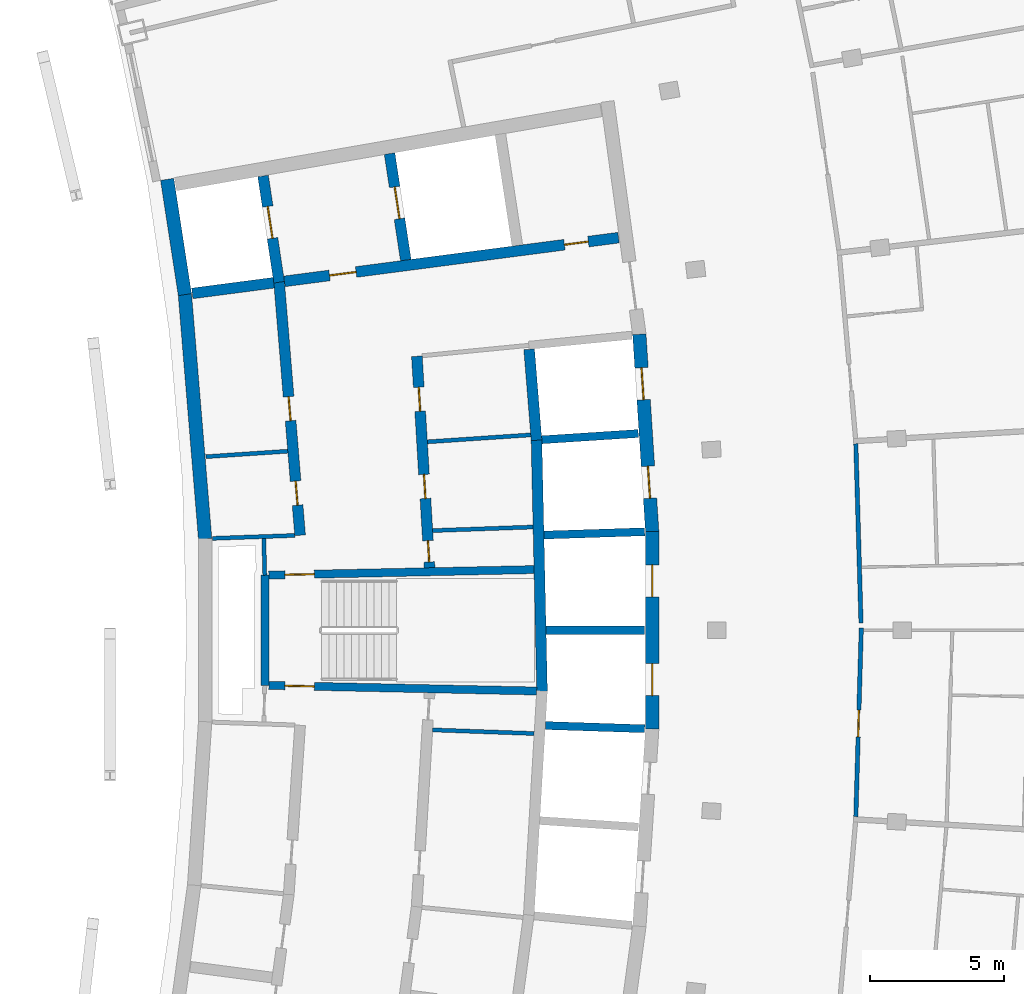
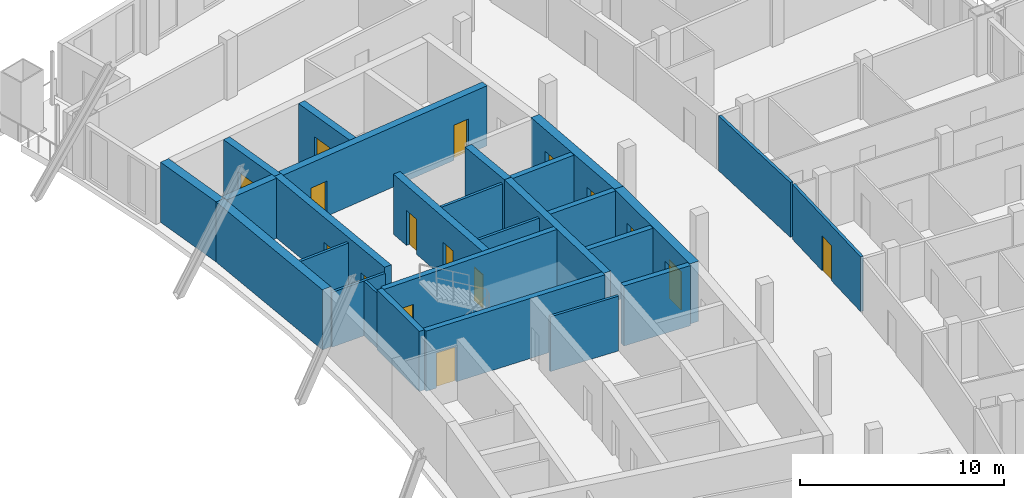
# One storey, part 10 of 17: 27 walls, 16 doors, 16 openings.
"""IFC4 building model written with IfcOpenShell, lengths in metres."""

import ifcopenshell
import ifcopenshell.guid

model = None  # the IFC model being written
_history = None  # IfcOwnerHistory: only IFC2X3 demands one
_inside = {}  # id of a spatial element -> (the spatial element, [elements in it])
_under = {}  # id of a project, library or spatial element -> (it, [spatial elements below it])
_declared = {}  # id of a project -> (the project, [libraries it declares])
_typed = {}  # id of a type object -> (the type object, [elements of that type])
_made_of = {}  # id of a material, layer set ... -> (it, [elements and type objects made of it])


def new_model(schema):
    """Start an empty IFC model of exactly this schema.

    Asked for "IFC4X3", IfcOpenShell would pick the latest addendum, in which some entities
    have other attributes; the version numbers below select the first issue.
    IFC2X3 requires an IfcOwnerHistory on every rooted entity: one is made here for all.
    """
    global model, _history
    if schema == "IFC4X3":
        model = ifcopenshell.file(schema_version=(4, 3, 0, 0))
    else:
        model = ifcopenshell.file(schema=schema)
    _inside.clear()
    _under.clear()
    _declared.clear()
    _typed.clear()
    _made_of.clear()
    _history = None
    if model.schema == "IFC2X3":
        org = make("IfcOrganization", Name="unknown")
        user = make(
            "IfcPersonAndOrganization",
            ThePerson=make("IfcPerson", FamilyName="unknown"),
            TheOrganization=org,
        )
        app = make(
            "IfcApplication",
            ApplicationDeveloper=org,
            Version="unknown",
            ApplicationFullName="unknown",
            ApplicationIdentifier="unknown",
        )
        _history = make(
            "IfcOwnerHistory",
            OwningUser=user,
            OwningApplication=app,
            ChangeAction="ADDED",
            CreationDate=0,
        )
    return model


def make(cls, **values):
    """One entity of the class cls with the attributes given. An attribute that is None is left unset."""
    return model.create_entity(
        cls, **{name: value for name, value in values.items() if value is not None}
    )


def rooted(cls, **values):
    """An entity with a GlobalId (a new one), such as an element, a storey or a relation."""
    return make(cls, GlobalId=ifcopenshell.guid.new(), OwnerHistory=_history, **values)


def si_unit(unit_type, name, prefix=None):
    """IfcSIUnit, for example si_unit("LENGTHUNIT", "METRE", prefix="MILLI")."""
    return make("IfcSIUnit", UnitType=unit_type, Prefix=prefix, Name=name)


def assignment(units):
    """IfcUnitAssignment: the units of a project."""
    return None if units is None else make("IfcUnitAssignment", Units=units)


def point(xyz):
    """IfcCartesianPoint."""
    return None if xyz is None else make("IfcCartesianPoint", Coordinates=xyz)


def direction(xyz):
    """IfcDirection."""
    return None if xyz is None else make("IfcDirection", DirectionRatios=xyz)


def frame(location, z_axis=None, x_axis=None):
    """IfcAxis2Placement3D, a coordinate frame: its origin and axes. An axis left out is left unset."""
    return make(
        "IfcAxis2Placement3D",
        Location=point(location),
        Axis=direction(z_axis),
        RefDirection=direction(x_axis),
    )


def frame_2d(location, x_axis=None):
    """IfcAxis2Placement2D, a coordinate frame in the plane: its origin and x axis."""
    return make(
        "IfcAxis2Placement2D", Location=point(location), RefDirection=direction(x_axis)
    )


def origin():
    """The frame at (0, 0, 0) with its axes left unset."""
    return frame((0.0, 0.0, 0.0))


def place(relative_to, where):
    """IfcLocalPlacement: puts the frame where relative to a parent placement (None: the world)."""
    return make(
        "IfcLocalPlacement", PlacementRelTo=relative_to, RelativePlacement=where
    )


def context(
    kind, dimensions, precision=None, world=None, true_north=None, identifier=None
):
    """IfcGeometricRepresentationContext, for example the 3D "Model" context."""
    return make(
        "IfcGeometricRepresentationContext",
        ContextIdentifier=identifier,
        ContextType=kind,
        CoordinateSpaceDimension=dimensions,
        Precision=precision,
        WorldCoordinateSystem=world,
        TrueNorth=true_north,
    )


def subcontext(parent, identifier, kind, view, scale=None):
    """IfcGeometricRepresentationSubContext, for example "Body" below "Model"."""
    return make(
        "IfcGeometricRepresentationSubContext",
        ContextIdentifier=identifier,
        ContextType=kind,
        ParentContext=parent,
        TargetScale=scale,
        TargetView=view,
    )


def project(units=None, contexts=None):
    """IfcProject with its units and contexts."""
    return rooted(
        "IfcProject",
        Name="project",
        RepresentationContexts=contexts,
        UnitsInContext=assignment(units),
    )


def spatial(cls, under=None, at=None, **own):
    """A site, building, storey or space (cls), placed at a placement, below another one or the project."""
    s = rooted(cls, ObjectPlacement=at, **own)
    if under is not None:
        _under.setdefault(under.id(), (under, []))[1].append(s)
    return s


def profile(cls, at=None, kind="AREA", **sizes):
    """A parametric profile (cls). Its sizes go by their IFC names, for example OverallWidth=200.0."""
    return make(cls, ProfileType=kind, Position=at, **sizes)


def rectangle(**sizes):
    """IfcRectangleProfileDef."""
    return profile("IfcRectangleProfileDef", **sizes)


def extrude(swept, where, along, depth):
    """IfcExtrudedAreaSolid: the profile swept, set in the frame where, extruded along a direction by depth."""
    return make(
        "IfcExtrudedAreaSolid",
        SweptArea=swept,
        Position=where,
        ExtrudedDirection=direction(along),
        Depth=depth,
    )


def shape(context_of_items, identifier, shape_type, items):
    """IfcShapeRepresentation: the items that make up one representation, for example the "Body"."""
    return make(
        "IfcShapeRepresentation",
        ContextOfItems=context_of_items,
        RepresentationIdentifier=identifier,
        RepresentationType=shape_type,
        Items=items,
    )


def material(Name=None, Category=None):
    """IfcMaterial."""
    return make("IfcMaterial", Name=Name, Category=Category)


def layer(
    of_material, thickness, ventilated=None, Name=None, Category=None, Priority=None
):
    """IfcMaterialLayer: one layer of a wall or slab, of a material (None: an air gap)."""
    return make(
        "IfcMaterialLayer",
        Material=of_material,
        LayerThickness=thickness,
        IsVentilated=ventilated,
        Name=Name,
        Category=Category,
        Priority=Priority,
    )


def layer_set(layers, Name=None):
    """IfcMaterialLayerSet."""
    return make("IfcMaterialLayerSet", MaterialLayers=layers, LayerSetName=Name)


def made_of(thing, what):
    """Note that an element or type object is made of a material, layer set ...; save() writes the relation."""
    if what is not None:
        _made_of.setdefault(what.id(), (what, []))[1].append(thing)
    return thing


def type_object(cls, material=None, **own):
    """A type object (cls), such as IfcWallType, which elements share."""
    return made_of(rooted(cls, **own), material)


def element(
    cls,
    number,
    at=None,
    inside=None,
    cuts=None,
    type_object=None,
    material=None,
    context=None,
    identifier="Body",
    shape_type=None,
    held_by="IfcProductDefinitionShape",
    body=None,
    shapes=None,
    **own,
):
    """One element of the class cls, such as IfcWall. Its Tag is "e" and its number.

    at: its placement. inside: the storey or other place that contains it. cuts: it is an
    opening in that element (IfcRelVoidsElement). A single representation is given by context,
    identifier, shape_type and body (its items); several are given by shapes. held_by: the class
    of the entity that holds the representations. save() writes the other relations.
    """
    e = rooted(cls, Tag="e%d" % number, ObjectPlacement=at, **own)
    if body is not None:
        shapes = [shape(context, identifier, shape_type, body)]
    if shapes is not None:
        e.Representation = make(held_by, Representations=shapes)
    if inside is not None:
        _inside.setdefault(inside.id(), (inside, []))[1].append(e)
    if cuts is not None:
        rooted(
            "IfcRelVoidsElement", RelatingBuildingElement=cuts, RelatedOpeningElement=e
        )
    if type_object is not None:
        _typed.setdefault(type_object.id(), (type_object, []))[1].append(e)
    return made_of(e, material)


def fill(opening, filler):
    """IfcRelFillsElement: the door or window that sits in an opening."""
    return rooted(
        "IfcRelFillsElement",
        RelatingOpeningElement=opening,
        RelatedBuildingElement=filler,
    )


def aggregate(whole, parts):
    """IfcRelAggregates: a whole, such as a stair, and the parts it consists of."""
    return rooted("IfcRelAggregates", RelatingObject=whole, RelatedObjects=parts)


def save(model, path):
    """Write the relations noted so far, then the file.

    IfcRelAggregates (storeys below a building ...), IfcRelContainedInSpatialStructure (elements
    in a storey), IfcRelDefinesByType, IfcRelAssociatesMaterial and IfcRelDeclares: one each for
    every whole, place, type object, material and project.
    """
    for whole, parts in _under.values():
        aggregate(whole, parts)
    for where, things in _inside.values():
        rooted(
            "IfcRelContainedInSpatialStructure",
            RelatedElements=things,
            RelatingStructure=where,
        )
    for kind, things in _typed.values():
        rooted("IfcRelDefinesByType", RelatedObjects=things, RelatingType=kind)
    for what, things in _made_of.values():
        rooted("IfcRelAssociatesMaterial", RelatedObjects=things, RelatingMaterial=what)
    for by, libraries in _declared.values():
        rooted("IfcRelDeclares", RelatingContext=by, RelatedDefinitions=libraries)
    model.write(path)


model = new_model("IFC4")

# Units and contexts
model_context = context("Model", 3, precision=1e-05, world=origin(), true_north=direction((0.0, 1.0)))
body_context = subcontext(model_context, "Body", "Model", "MODEL_VIEW")
ifc_project = project(units=[si_unit("LENGTHUNIT", "METRE"), si_unit("AREAUNIT", "SQUARE_METRE"), si_unit("VOLUMEUNIT", "CUBIC_METRE"), si_unit("PLANEANGLEUNIT", "RADIAN"), si_unit("MASSUNIT", "GRAM", prefix="KILO")], contexts=[model_context])

# Site, building, storey
site_placement = place(None, origin())
site = spatial("IfcSite", under=ifc_project, at=site_placement, CompositionType="ELEMENT")
building_placement = place(site_placement, origin())
building = spatial("IfcBuilding", under=site, at=building_placement, Name="Alderwake Tower", CompositionType="ELEMENT")
storey_placement = place(building_placement, frame((0.0, 0.0, 256.39990234375)))
storey = spatial("IfcBuildingStorey", under=building, at=storey_placement, Name="L63", CompositionType="ELEMENT", Elevation=256.39990234375)

# Walls
ifc_material_1 = material(Name="Gypsum shaft wall system, rated")
ifc_layer_1 = layer(ifc_material_1, 0.14990234375)
ifc_layer_set_1 = layer_set([ifc_layer_1], Name="Core riser partition 150")
wall_type_1 = type_object("IfcWallType", Name="Core riser partition 150", PredefinedType="PARTITIONING", material=ifc_layer_set_1)
wall_1_placement = place(storey_placement, frame((25.1904296875, 57.276611328125, 0.0), z_axis=(0.0, 0.0, 1.0), x_axis=(0.999373547283, -0.03539086028, 0.0)))
element("IfcWall", 1, at=wall_1_placement, inside=storey, type_object=wall_type_1, Name="CW/L63/PR-37_+86", PredefinedType="PARTITIONING", context=body_context, shape_type="SweptSolid", body=[
    extrude(rectangle(XDim=3.794189453125, YDim=0.14990234375, at=frame_2d((1.89697265625, 0.0))), origin(), (0.0, 0.0, 1.0), 3.280029296875),
])
wall_2_placement = place(storey_placement, frame((25.191162109375, 64.723388671875, 0.0), z_axis=(0.0, 0.0, 1.0), x_axis=(0.999373256208, 0.035399078746, 0.0)))
element("IfcWall", 2, at=wall_2_placement, inside=storey, type_object=wall_type_1, Name="CW/L63/PR+37_+86", PredefinedType="PARTITIONING", context=body_context, shape_type="SweptSolid", body=[
    extrude(rectangle(XDim=3.751953125, YDim=0.14990234375, at=frame_2d((1.8759765625, 0.0))), origin(), (0.0, 0.0, 1.0), 3.280029296875),
])
ifc_material_2 = material(Name="Gypsum shaft wall system, rated")
ifc_layer_2 = layer(ifc_material_2, 0.14990234375)
ifc_layer_set_2 = layer_set([ifc_layer_2], Name="Core room partition 150")
wall_type_2 = type_object("IfcWallType", Name="Core room partition 150", PredefinedType="PARTITIONING", material=ifc_layer_set_2)
wall_3_placement = place(storey_placement, frame((18.918701171875, 63.05517578125, 0.0), z_axis=(0.0, 0.0, 1.0), x_axis=(-0.027791791559, 0.99961373356, 0.0)))
element("IfcWall", 3, at=wall_3_placement, inside=storey, type_object=wall_type_2, Name="CW/L63/PA+24_+22", PredefinedType="PARTITIONING", context=body_context, shape_type="SweptSolid", body=[
    extrude(rectangle(XDim=1.370361328125, YDim=0.14990234375, at=frame_2d((0.68505859375, 0.0))), origin(), (0.0, 0.0, 1.0), 3.280029296875),
])
wall_4_placement = place(storey_placement, frame((16.969482421875, 64.4326171875, 0.0), z_axis=(0.0, 0.0, 1.0), x_axis=(0.999376258731, 0.035314210814, 0.0)))
element("IfcWall", 4, at=wall_4_placement, inside=storey, type_object=wall_type_2, Name="CW/L63/PR+37_+0", PredefinedType="PARTITIONING", context=body_context, shape_type="SweptSolid", body=[
    extrude(rectangle(XDim=3.069580078125, YDim=0.14990234375, at=frame_2d((1.53466796875, 0.0))), origin(), (0.0, 0.0, 1.0), 3.280029296875),
])
wall_5_placement = place(storey_placement, frame((16.716552734375, 67.48388671875, 0.0), z_axis=(0.0, 0.0, 1.0), x_axis=(0.997761137574, 0.066878339895, 0.0)))
element("IfcWall", 5, at=wall_5_placement, inside=storey, type_object=wall_type_2, Name="CW/L63/PR+70_+0", PredefinedType="PARTITIONING", context=body_context, shape_type="SweptSolid", body=[
    extrude(rectangle(XDim=3.06640625, YDim=0.14990234375, at=frame_2d((1.533203125, 0.0))), origin(), (0.0, 0.0, 1.0), 3.280029296875),
])
wall_6_placement = place(storey_placement, frame((24.992431640625, 68.038818359375, 0.0), z_axis=(0.0, 0.0, 1.0), x_axis=(0.997760236964, 0.066891774789, 0.0)))
element("IfcWall", 6, at=wall_6_placement, inside=storey, type_object=wall_type_2, Name="CW/L63/PR+70_+86", PredefinedType="PARTITIONING", context=body_context, shape_type="SweptSolid", body=[
    extrude(rectangle(XDim=3.86865234375, YDim=0.14990234375, at=frame_2d((1.934326171875, 0.0))), origin(), (0.0, 0.0, 1.0), 3.280029296875),
])
ifc_material_3 = material(Name="Concrete C70/85", Category="concrete")
ifc_layer_3 = layer(ifc_material_3, 0.5)
ifc_layer_set_3 = layer_set([ifc_layer_3], Name="Core wall outer 500 C70-85")
wall_type_3 = type_object("IfcWallType", Name="Core wall outer 500 C70-85", PredefinedType="SHEAR", material=ifc_layer_set_3)
wall_7_placement = place(storey_placement, frame((16.690185546875, 64.41162109375, 0.0), z_axis=(0.0, 0.0, 1.0), x_axis=(-0.082611702064, 0.996581811334, 0.0)))
element("IfcWall", 7, at=wall_7_placement, inside=storey, type_object=wall_type_3, Name="Core wall CW.026", PredefinedType="SHEAR", context=body_context, shape_type="SweptSolid", body=[
    extrude(rectangle(XDim=9.176025390625, YDim=0.5, at=frame_2d((4.587890625, 0.0))), origin(), (0.0, 0.0, 1.0), 3.60009765625),
])
wall_8_placement = place(storey_placement, frame((15.934326171875, 73.5380859375, 0.0), z_axis=(0.0, 0.0, 1.0), x_axis=(-0.151947718368, 0.988388532351, 0.0)))
element("IfcWall", 8, at=wall_8_placement, inside=storey, type_object=wall_type_3, Name="Core wall CW.025", PredefinedType="SHEAR", context=body_context, shape_type="SweptSolid", body=[
    extrude(rectangle(XDim=4.357421875, YDim=0.5, at=frame_2d((2.1787109375, 0.0))), origin(), (0.0, 0.0, 1.0), 3.60009765625),
])

# Wall, openings, doors
wall_9_placement = place(storey_placement, frame((33.389892578125, 57.30322265625, 0.0), z_axis=(0.0, 0.0, 1.0), x_axis=(0.0, 1.0, 0.0)))
wall_9 = element("IfcWall", 9, at=wall_9_placement, inside=storey, type_object=wall_type_3, Name="Core wall CW.023", PredefinedType="SHEAR", context=body_context, shape_type="SweptSolid", body=[
    extrude(rectangle(XDim=7.3935546875, YDim=0.5, at=frame_2d((3.69677734375, 0.0))), origin(), (0.0, 0.0, 1.0), 3.60009765625),
])
opening_1_placement = place(wall_9_placement, frame((1.25244140625, 0.0, 0.0)))
opening_1 = element("IfcOpeningElement", 10, at=opening_1_placement, cuts=wall_9, Name="Opening LD-HP3", PredefinedType="OPENING", context=body_context, shape_type="SweptSolid", body=[
    extrude(rectangle(XDim=1.199951171875, YDim=2.300048828125, at=frame_2d((0.60009765625, 1.14990234375))), frame((0.0, 0.260009765625, 0.0), z_axis=(0.0, -1.0, 0.0), x_axis=(1.0, 0.0, 0.0)), (0.0, 0.0, 1.0), 0.52001953125),
])
opening_2_placement = place(wall_9_placement, frame((4.94091796875, 0.0, 0.0)))
opening_2 = element("IfcOpeningElement", 11, at=opening_2_placement, cuts=wall_9, Name="Opening LD-HP4", PredefinedType="OPENING", context=body_context, shape_type="SweptSolid", body=[
    extrude(rectangle(XDim=1.199951171875, YDim=2.300048828125, at=frame_2d((0.60009765625, 1.14990234375))), frame((0.0, 0.260009765625, 0.0), z_axis=(0.0, -1.0, 0.0), x_axis=(1.0, 0.0, 0.0)), (0.0, 0.0, 1.0), 0.52001953125),
])
ifc_material_4 = material(Name="Stainless steel sliding leaf", Category="steel")
door_type_1 = type_object("IfcDoorType", Name="Lift landing door 1200", OperationType="SLIDING_TO_LEFT", PredefinedType="DOOR", material=ifc_material_4)
door_1_placement = place(opening_1_placement, origin())
door_1 = element("IfcDoor", 12, at=door_1_placement, inside=storey, type_object=door_type_1, Name="Lift landing door HP3", OperationType="SLIDING_TO_LEFT", OverallHeight=2.300048828125, OverallWidth=1.199951171875, PredefinedType="DOOR", context=body_context, shape_type="SweptSolid", body=[
    extrude(rectangle(XDim=1.199951171875, YDim=2.300048828125, at=frame_2d((0.60009765625, 1.14990234375))), frame((0.0, 0.02490234375, 0.0), z_axis=(0.0, -1.0, 0.0), x_axis=(1.0, 0.0, 0.0)), (0.0, 0.0, 1.0), 0.050048828125),
])
fill(opening_1, door_1)
door_2_placement = place(opening_2_placement, origin())
door_2 = element("IfcDoor", 13, at=door_2_placement, inside=storey, type_object=door_type_1, Name="Lift landing door HP4", OperationType="SLIDING_TO_LEFT", OverallHeight=2.300048828125, OverallWidth=1.199951171875, PredefinedType="DOOR", context=body_context, shape_type="SweptSolid", body=[
    extrude(rectangle(XDim=1.199951171875, YDim=2.300048828125, at=frame_2d((0.60009765625, 1.14990234375))), frame((0.0, 0.02490234375, 0.0), z_axis=(0.0, -1.0, 0.0), x_axis=(1.0, 0.0, 0.0)), (0.0, 0.0, 1.0), 0.050048828125),
])
fill(opening_2, door_2)

wall_10_placement = place(storey_placement, frame((33.390625, 64.679443359375, 0.0), z_axis=(0.0, 0.0, 1.0), x_axis=(-0.064980500916, 0.997886533881, 0.0)))
wall_10 = element("IfcWall", 14, at=wall_10_placement, inside=storey, type_object=wall_type_3, Name="Core wall CW.020", PredefinedType="SHEAR", context=body_context, shape_type="SweptSolid", body=[
    extrude(rectangle(XDim=7.39404296875, YDim=0.5, at=frame_2d((3.697021484375, 0.0))), origin(), (0.0, 0.0, 1.0), 3.60009765625),
])
opening_3_placement = place(wall_10_placement, frame((1.25244140625, 0.0, 0.0)))
opening_3 = element("IfcOpeningElement", 15, at=opening_3_placement, cuts=wall_10, Name="Opening LD-HP5", PredefinedType="OPENING", context=body_context, shape_type="SweptSolid", body=[
    extrude(rectangle(XDim=1.199951171875, YDim=2.300048828125, at=frame_2d((0.60009765625, 1.14990234375))), frame((0.0, 0.260009765625, 0.0), z_axis=(0.0, -1.0, 0.0), x_axis=(1.0, 0.0, 0.0)), (0.0, 0.0, 1.0), 0.52001953125),
])
opening_4_placement = place(wall_10_placement, frame((4.94091796875, 0.0, 0.0)))
opening_4 = element("IfcOpeningElement", 16, at=opening_4_placement, cuts=wall_10, Name="Opening LD-HP6", PredefinedType="OPENING", context=body_context, shape_type="SweptSolid", body=[
    extrude(rectangle(XDim=1.199951171875, YDim=2.300048828125, at=frame_2d((0.60009765625, 1.14990234375))), frame((0.0, 0.260009765625, 0.0), z_axis=(0.0, -1.0, 0.0), x_axis=(1.0, 0.0, 0.0)), (0.0, 0.0, 1.0), 0.52001953125),
])
door_3_placement = place(opening_3_placement, origin())
door_3 = element("IfcDoor", 17, at=door_3_placement, inside=storey, type_object=door_type_1, Name="Lift landing door HP5", OperationType="SLIDING_TO_LEFT", OverallHeight=2.300048828125, OverallWidth=1.199951171875, PredefinedType="DOOR", context=body_context, shape_type="SweptSolid", body=[
    extrude(rectangle(XDim=1.199951171875, YDim=2.300048828125, at=frame_2d((0.60009765625, 1.14990234375))), frame((0.0, 0.02490234375, 0.0), z_axis=(0.0, -1.0, 0.0), x_axis=(1.0, 0.0, 0.0)), (0.0, 0.0, 1.0), 0.050048828125),
])
fill(opening_3, door_3)
door_4_placement = place(opening_4_placement, origin())
door_4 = element("IfcDoor", 18, at=door_4_placement, inside=storey, type_object=door_type_1, Name="Lift landing door HP6", OperationType="SLIDING_TO_LEFT", OverallHeight=2.300048828125, OverallWidth=1.199951171875, PredefinedType="DOOR", context=body_context, shape_type="SweptSolid", body=[
    extrude(rectangle(XDim=1.199951171875, YDim=2.300048828125, at=frame_2d((0.60009765625, 1.14990234375))), frame((0.0, 0.02490234375, 0.0), z_axis=(0.0, -1.0, 0.0), x_axis=(1.0, 0.0, 0.0)), (0.0, 0.0, 1.0), 0.050048828125),
])
fill(opening_4, door_4)

# Walls
ifc_material_5 = material(Name="Concrete C70/85", Category="concrete")
ifc_layer_4 = layer(ifc_material_5, 0.300048828125)
ifc_layer_set_4 = layer_set([ifc_layer_4], Name="Core wall shaft 300 C70-85")
wall_type_4 = type_object("IfcWallType", Name="Core wall shaft 300 C70-85", PredefinedType="SHEAR", material=ifc_layer_set_4)
wall_11_placement = place(storey_placement, frame((29.400634765625, 57.441650390625, 0.0), z_axis=(0.0, 0.0, 1.0), x_axis=(0.999471876479, -0.032495663221, 0.0)))
element("IfcWall", 19, at=wall_11_placement, inside=storey, type_object=wall_type_4, Name="Core wall CW.075", PredefinedType="SHEAR", context=body_context, shape_type="SweptSolid", body=[
    extrude(rectangle(XDim=3.71142578125, YDim=0.300048828125, at=frame_2d((1.855712890625, 0.0))), origin(), (0.0, 0.0, 1.0), 3.60009765625),
])
wall_12_placement = place(storey_placement, frame((29.426025390625, 61.0, 0.0), z_axis=(0.0, 0.0, 1.0), x_axis=(1.0, 0.0, 0.0)))
element("IfcWall", 20, at=wall_12_placement, inside=storey, type_object=wall_type_4, Name="Core wall CW.048", PredefinedType="SHEAR", context=body_context, shape_type="SweptSolid", body=[
    extrude(rectangle(XDim=3.68408203125, YDim=0.300048828125, at=frame_2d((1.842041015625, 0.0))), origin(), (0.0, 0.0, 1.0), 3.60009765625),
])
wall_13_placement = place(storey_placement, frame((29.347412109375, 64.556396484375, 0.0), z_axis=(0.0, 0.0, 1.0), x_axis=(0.99946995342, 0.032554757112, 0.0)))
element("IfcWall", 21, at=wall_13_placement, inside=storey, type_object=wall_type_4, Name="Core wall CW.058", PredefinedType="SHEAR", context=body_context, shape_type="SweptSolid", body=[
    extrude(rectangle(XDim=3.7646484375, YDim=0.300048828125, at=frame_2d((1.88232421875, 0.0))), origin(), (0.0, 0.0, 1.0), 3.60009765625),
])
wall_14_placement = place(storey_placement, frame((29.268798828125, 68.115478515625, 0.0), z_axis=(0.0, 0.0, 1.0), x_axis=(0.997885735437, 0.064992761217, 0.0)))
element("IfcWall", 22, at=wall_14_placement, inside=storey, type_object=wall_type_4, Name="Core wall CW.061", PredefinedType="SHEAR", context=body_context, shape_type="SweptSolid", body=[
    extrude(rectangle(XDim=3.60986328125, YDim=0.300048828125, at=frame_2d((1.804931640625, 0.0))), origin(), (0.0, 0.0, 1.0), 3.60009765625),
])

# Wall, openings, doors
ifc_material_6 = material(Name="Concrete C70/85", Category="concrete")
ifc_layer_5 = layer(ifc_material_6, 0.39990234375)
ifc_layer_set_5 = layer_set([ifc_layer_5], Name="Core wall spine 400 C70-85")
wall_type_5 = type_object("IfcWallType", Name="Core wall spine 400 C70-85", PredefinedType="SHEAR", material=ifc_layer_set_5)
wall_15_placement = place(storey_placement, frame((19.452392578125, 74.014892578125, 0.0), z_axis=(0.0, 0.0, 1.0), x_axis=(0.082628585297, -0.996580411654, 0.0)))
wall_15 = element("IfcWall", 23, at=wall_15_placement, inside=storey, type_object=wall_type_5, Name="Core wall CW.031", PredefinedType="SHEAR", context=body_context, shape_type="SweptSolid", body=[
    extrude(rectangle(XDim=9.499267578125, YDim=0.39990234375, at=frame_2d((4.74951171875, 0.0))), origin(), (0.0, 0.0, 1.0), 3.60009765625),
])
opening_5_placement = place(wall_15_placement, frame((7.468017578125, 0.0, 0.0)))
opening_5 = element("IfcOpeningElement", 24, at=opening_5_placement, cuts=wall_15, Name="Opening C053", PredefinedType="OPENING", context=body_context, shape_type="SweptSolid", body=[
    extrude(rectangle(XDim=0.89990234375, YDim=2.10009765625, at=frame_2d((0.449951171875, 1.050048828125))), frame((0.0, 0.2099609375, 0.0), z_axis=(0.0, -1.0, 0.0), x_axis=(1.0, 0.0, 0.0)), (0.0, 0.0, 1.0), 0.419921875),
])
opening_6_placement = place(wall_15_placement, frame((4.30322265625, 0.0, 0.0)))
opening_6 = element("IfcOpeningElement", 25, at=opening_6_placement, cuts=wall_15, Name="Opening C054", PredefinedType="OPENING", context=body_context, shape_type="SweptSolid", body=[
    extrude(rectangle(XDim=0.89990234375, YDim=2.10009765625, at=frame_2d((0.449951171875, 1.050048828125))), frame((0.0, 0.2099609375, 0.0), z_axis=(0.0, -1.0, 0.0), x_axis=(1.0, 0.0, 0.0)), (0.0, 0.0, 1.0), 0.419921875),
])
ifc_material_7 = material(Name="Painted steel leaf", Category="steel")
door_type_2 = type_object("IfcDoorType", Name="Core room door 900", OperationType="SINGLE_SWING_LEFT", PredefinedType="DOOR", material=ifc_material_7)
door_5_placement = place(opening_5_placement, origin())
door_5 = element("IfcDoor", 26, at=door_5_placement, inside=storey, type_object=door_type_2, Name="Room door", OperationType="SINGLE_SWING_LEFT", OverallHeight=2.10009765625, OverallWidth=0.89990234375, PredefinedType="DOOR", context=body_context, shape_type="SweptSolid", body=[
    extrude(rectangle(XDim=0.89990234375, YDim=2.10009765625, at=frame_2d((0.449951171875, 1.050048828125))), frame((0.0, 0.02490234375, 0.0), z_axis=(0.0, -1.0, 0.0), x_axis=(1.0, 0.0, 0.0)), (0.0, 0.0, 1.0), 0.050048828125),
])
fill(opening_5, door_5)
door_6_placement = place(opening_6_placement, origin())
door_6 = element("IfcDoor", 27, at=door_6_placement, inside=storey, type_object=door_type_2, Name="Room door", OperationType="SINGLE_SWING_RIGHT", OverallHeight=2.10009765625, OverallWidth=0.89990234375, PredefinedType="DOOR", context=body_context, shape_type="SweptSolid", body=[
    extrude(rectangle(XDim=0.89990234375, YDim=2.10009765625, at=frame_2d((0.449951171875, 1.050048828125))), frame((0.0, 0.02490234375, 0.0), z_axis=(0.0, -1.0, 0.0), x_axis=(1.0, 0.0, 0.0)), (0.0, 0.0, 1.0), 0.050048828125),
])
fill(opening_6, door_6)

# Wall, opening, door
wall_16_placement = place(storey_placement, frame((19.4541015625, 74.00048828125, 0.0), z_axis=(0.0, 0.0, 1.0), x_axis=(-0.149461330246, 0.988767571657, 0.0)))
wall_16 = element("IfcWall", 28, at=wall_16_placement, inside=storey, type_object=wall_type_5, Name="Core wall CW.030", PredefinedType="SHEAR", context=body_context, shape_type="SweptSolid", body=[
    extrude(rectangle(XDim=4.01513671875, YDim=0.39990234375, at=frame_2d((2.007568359375, 0.0))), origin(), (0.0, 0.0, 1.0), 3.60009765625),
])
opening_7_placement = place(wall_16_placement, frame((1.6611328125, 0.0, 0.0)))
opening_7 = element("IfcOpeningElement", 29, at=opening_7_placement, cuts=wall_16, Name="Opening LD-FF1", PredefinedType="OPENING", context=body_context, shape_type="SweptSolid", body=[
    extrude(rectangle(XDim=1.199951171875, YDim=2.300048828125, at=frame_2d((0.60009765625, 1.14990234375))), frame((0.0, 0.2099609375, 0.0), z_axis=(0.0, -1.0, 0.0), x_axis=(1.0, 0.0, 0.0)), (0.0, 0.0, 1.0), 0.419921875),
])
door_7_placement = place(opening_7_placement, origin())
door_7 = element("IfcDoor", 30, at=door_7_placement, inside=storey, type_object=door_type_1, Name="Lift landing door FF1", OperationType="SLIDING_TO_LEFT", OverallHeight=2.300048828125, OverallWidth=1.199951171875, PredefinedType="DOOR", context=body_context, shape_type="SweptSolid", body=[
    extrude(rectangle(XDim=1.199951171875, YDim=2.300048828125, at=frame_2d((0.60009765625, 1.14990234375))), frame((0.0, 0.02490234375, 0.0), z_axis=(0.0, -1.0, 0.0), x_axis=(1.0, 0.0, 0.0)), (0.0, 0.0, 1.0), 0.050048828125),
])
fill(opening_7, door_7)

# Wall, openings, doors
wall_17_placement = place(storey_placement, frame((25.073974609375, 63.335693359375, 0.0), z_axis=(0.0, 0.0, 1.0), x_axis=(-0.059848641072, 0.998207463487, 0.0)))
wall_17 = element("IfcWall", 31, at=wall_17_placement, inside=storey, type_object=wall_type_5, Name="Core wall CW.045", PredefinedType="SHEAR", context=body_context, shape_type="SweptSolid", body=[
    extrude(rectangle(XDim=7.913818359375, YDim=0.39990234375, at=frame_2d((3.95703125, 0.0))), origin(), (0.0, 0.0, 1.0), 3.60009765625),
])
opening_8_placement = place(wall_17_placement, frame((0.216064453125, 0.0, 0.0)))
opening_8 = element("IfcOpeningElement", 32, at=opening_8_placement, cuts=wall_17, Name="Opening C005", PredefinedType="OPENING", context=body_context, shape_type="SweptSolid", body=[
    extrude(rectangle(XDim=0.800048828125, YDim=2.0, at=frame_2d((0.39990234375, 1.0))), frame((0.0, 0.2099609375, 0.0), z_axis=(0.0, -1.0, 0.0), x_axis=(1.0, 0.0, 0.0)), (0.0, 0.0, 1.0), 0.419921875),
])
opening_9_placement = place(wall_17_placement, frame((5.856201171875, 0.0, 0.0)))
opening_9 = element("IfcOpeningElement", 33, at=opening_9_placement, cuts=wall_17, Name="Opening C023", PredefinedType="OPENING", context=body_context, shape_type="SweptSolid", body=[
    extrude(rectangle(XDim=0.89990234375, YDim=2.10009765625, at=frame_2d((0.449951171875, 1.050048828125))), frame((0.0, 0.2099609375, 0.0), z_axis=(0.0, -1.0, 0.0), x_axis=(1.0, 0.0, 0.0)), (0.0, 0.0, 1.0), 0.419921875),
])
opening_10_placement = place(wall_17_placement, frame((2.590087890625, 0.0, 0.0)))
opening_10 = element("IfcOpeningElement", 34, at=opening_10_placement, cuts=wall_17, Name="Opening C059", PredefinedType="OPENING", context=body_context, shape_type="SweptSolid", body=[
    extrude(rectangle(XDim=0.89990234375, YDim=2.10009765625, at=frame_2d((0.449951171875, 1.050048828125))), frame((0.0, 0.2099609375, 0.0), z_axis=(0.0, -1.0, 0.0), x_axis=(1.0, 0.0, 0.0)), (0.0, 0.0, 1.0), 0.419921875),
])
door_8_placement = place(opening_9_placement, origin())
door_8 = element("IfcDoor", 35, at=door_8_placement, inside=storey, type_object=door_type_2, Name="Room door", OperationType="SINGLE_SWING_RIGHT", OverallHeight=2.10009765625, OverallWidth=0.89990234375, PredefinedType="DOOR", context=body_context, shape_type="SweptSolid", body=[
    extrude(rectangle(XDim=0.89990234375, YDim=2.10009765625, at=frame_2d((0.449951171875, 1.050048828125))), frame((0.0, 0.02490234375, 0.0), z_axis=(0.0, -1.0, 0.0), x_axis=(1.0, 0.0, 0.0)), (0.0, 0.0, 1.0), 0.050048828125),
])
fill(opening_9, door_8)
door_9_placement = place(opening_10_placement, origin())
door_9 = element("IfcDoor", 36, at=door_9_placement, inside=storey, type_object=door_type_2, Name="Room door", OperationType="SINGLE_SWING_LEFT", OverallHeight=2.10009765625, OverallWidth=0.89990234375, PredefinedType="DOOR", context=body_context, shape_type="SweptSolid", body=[
    extrude(rectangle(XDim=0.89990234375, YDim=2.10009765625, at=frame_2d((0.449951171875, 1.050048828125))), frame((0.0, 0.02490234375, 0.0), z_axis=(0.0, -1.0, 0.0), x_axis=(1.0, 0.0, 0.0)), (0.0, 0.0, 1.0), 0.050048828125),
])
fill(opening_10, door_9)
ifc_material_8 = material(Name="Painted steel leaf, rated", Category="steel")
door_type_3 = type_object("IfcDoorType", Name="Riser access door 800", OperationType="SINGLE_SWING_LEFT", PredefinedType="DOOR", material=ifc_material_8)
door_10_placement = place(opening_8_placement, origin())
door_10 = element("IfcDoor", 37, at=door_10_placement, inside=storey, type_object=door_type_3, Name="Riser access door", OperationType="SINGLE_SWING_LEFT", OverallHeight=2.0, OverallWidth=0.800048828125, PredefinedType="DOOR", context=body_context, shape_type="SweptSolid", body=[
    extrude(rectangle(XDim=0.800048828125, YDim=2.0, at=frame_2d((0.39990234375, 1.0))), frame((0.0, 0.02490234375, 0.0), z_axis=(0.0, -1.0, 0.0), x_axis=(1.0, 0.0, 0.0)), (0.0, 0.0, 1.0), 0.050048828125),
])
fill(opening_8, door_10)

# Wall, opening, door
wall_18_placement = place(storey_placement, frame((24.186279296875, 74.82861328125, 0.0), z_axis=(0.0, 0.0, 1.0), x_axis=(-0.150547717109, 0.988602743711, 0.0)))
wall_18 = element("IfcWall", 38, at=wall_18_placement, inside=storey, type_object=wall_type_5, Name="Core wall CW.044", PredefinedType="SHEAR", context=body_context, shape_type="SweptSolid", body=[
    extrude(rectangle(XDim=4.0234375, YDim=0.39990234375, at=frame_2d((2.01171875, 0.0))), origin(), (0.0, 0.0, 1.0), 3.60009765625),
])
opening_11_placement = place(wall_18_placement, frame((1.561767578125, 0.0, 0.0)))
opening_11 = element("IfcOpeningElement", 39, at=opening_11_placement, cuts=wall_18, Name="Opening LD-FF2", PredefinedType="OPENING", context=body_context, shape_type="SweptSolid", body=[
    extrude(rectangle(XDim=1.199951171875, YDim=2.300048828125, at=frame_2d((0.60009765625, 1.14990234375))), frame((0.0, 0.2099609375, 0.0), z_axis=(0.0, -1.0, 0.0), x_axis=(1.0, 0.0, 0.0)), (0.0, 0.0, 1.0), 0.419921875),
])
door_11_placement = place(opening_11_placement, origin())
door_11 = element("IfcDoor", 40, at=door_11_placement, inside=storey, type_object=door_type_1, Name="Lift landing door FF2", OperationType="SLIDING_TO_LEFT", OverallHeight=2.300048828125, OverallWidth=1.199951171875, PredefinedType="DOOR", context=body_context, shape_type="SweptSolid", body=[
    extrude(rectangle(XDim=1.199951171875, YDim=2.300048828125, at=frame_2d((0.60009765625, 1.14990234375))), frame((0.0, 0.02490234375, 0.0), z_axis=(0.0, -1.0, 0.0), x_axis=(1.0, 0.0, 0.0)), (0.0, 0.0, 1.0), 0.050048828125),
])
fill(opening_11, door_11)

# Walls
wall_19_placement = place(storey_placement, frame((29.276611328125, 58.71826171875, 0.0), z_axis=(0.0, 0.0, 1.0), x_axis=(-0.022119171053, 0.999755341207, 0.0)))
element("IfcWall", 41, at=wall_19_placement, inside=storey, type_object=wall_type_5, Name="Core wall CW.007", PredefinedType="SHEAR", context=body_context, shape_type="SweptSolid", body=[
    extrude(rectangle(XDim=9.392822265625, YDim=0.39990234375, at=frame_2d((4.6962890625, 0.0))), origin(), (0.0, 0.0, 1.0), 3.60009765625),
])
wall_20_placement = place(storey_placement, frame((29.069580078125, 68.09619140625, 0.0), z_axis=(0.0, 0.0, 1.0), x_axis=(-0.080544811251, 0.996750988653, 0.0)))
element("IfcWall", 42, at=wall_20_placement, inside=storey, type_object=wall_type_5, Name="Core wall CW.003", PredefinedType="SHEAR", context=body_context, shape_type="SweptSolid", body=[
    extrude(rectangle(XDim=3.409912109375, YDim=0.39990234375, at=frame_2d((1.705078125, 0.0))), origin(), (0.0, 0.0, 1.0), 3.60009765625),
])
wall_21_placement = place(storey_placement, frame((16.210693359375, 73.583740234375, 0.0), z_axis=(0.0, 0.0, 1.0), x_axis=(0.991560893257, 0.129641794819, 0.0)))
element("IfcWall", 43, at=wall_21_placement, inside=storey, type_object=wall_type_5, Name="Core wall CW.051", PredefinedType="SHEAR", context=body_context, shape_type="SweptSolid", body=[
    extrude(rectangle(XDim=3.069580078125, YDim=0.39990234375, at=frame_2d((1.53466796875, 0.0))), origin(), (0.0, 0.0, 1.0), 3.60009765625),
])

# Wall, openings, doors
wall_22_placement = place(storey_placement, frame((32.132080078125, 75.666015625, 0.0), z_axis=(0.0, 0.0, 1.0), x_axis=(-0.991555139901, -0.129685791576, 0.0)))
wall_22 = element("IfcWall", 44, at=wall_22_placement, inside=storey, type_object=wall_type_5, Name="Core wall CW.052", PredefinedType="SHEAR", context=body_context, shape_type="SweptSolid", body=[
    extrude(rectangle(XDim=12.586669921875, YDim=0.39990234375, at=frame_2d((6.29345703125, 0.0))), origin(), (0.0, 0.0, 1.0), 3.60009765625),
])
opening_12_placement = place(wall_22_placement, frame((9.88720703125, 0.0, 0.0)))
opening_12 = element("IfcOpeningElement", 45, at=opening_12_placement, cuts=wall_22, Name="Opening C002", PredefinedType="OPENING", context=body_context, shape_type="SweptSolid", body=[
    extrude(rectangle(XDim=1.0, YDim=2.10009765625, at=frame_2d((0.5, 1.050048828125))), frame((0.0, 0.2099609375, 0.0), z_axis=(0.0, -1.0, 0.0), x_axis=(1.0, 0.0, 0.0)), (0.0, 0.0, 1.0), 0.419921875),
])
opening_13_placement = place(wall_22_placement, frame((1.13720703125, 0.0, 0.0)))
opening_13 = element("IfcOpeningElement", 46, at=opening_13_placement, cuts=wall_22, Name="Opening C020", PredefinedType="OPENING", context=body_context, shape_type="SweptSolid", body=[
    extrude(rectangle(XDim=0.89990234375, YDim=2.10009765625, at=frame_2d((0.449951171875, 1.050048828125))), frame((0.0, 0.2099609375, 0.0), z_axis=(0.0, -1.0, 0.0), x_axis=(1.0, 0.0, 0.0)), (0.0, 0.0, 1.0), 0.419921875),
])
door_12_placement = place(opening_13_placement, origin())
door_12 = element("IfcDoor", 47, at=door_12_placement, inside=storey, type_object=door_type_2, Name="Room door", OperationType="SINGLE_SWING_LEFT", OverallHeight=2.10009765625, OverallWidth=0.89990234375, PredefinedType="DOOR", context=body_context, shape_type="SweptSolid", body=[
    extrude(rectangle(XDim=0.89990234375, YDim=2.10009765625, at=frame_2d((0.449951171875, 1.050048828125))), frame((0.0, 0.02490234375, 0.0), z_axis=(0.0, -1.0, 0.0), x_axis=(1.0, 0.0, 0.0)), (0.0, 0.0, 1.0), 0.050048828125),
])
fill(opening_13, door_12)
ifc_material_9 = material(Name="Steel-framed fire door leaf", Category="steel")
door_type_4 = type_object("IfcDoorType", Name="Firefighting lobby door 1000 fire-rated", OperationType="SINGLE_SWING_LEFT", PredefinedType="DOOR", material=ifc_material_9)
door_13_placement = place(opening_12_placement, origin())
door_13 = element("IfcDoor", 48, at=door_13_placement, inside=storey, type_object=door_type_4, Name="Firefighting lobby door", OperationType="SINGLE_SWING_RIGHT", OverallHeight=2.10009765625, OverallWidth=1.0, PredefinedType="DOOR", context=body_context, shape_type="SweptSolid", body=[
    extrude(rectangle(XDim=1.0, YDim=2.10009765625, at=frame_2d((0.5, 1.050048828125))), frame((0.0, 0.02490234375, 0.0), z_axis=(0.0, -1.0, 0.0), x_axis=(1.0, 0.0, 0.0)), (0.0, 0.0, 1.0), 0.050048828125),
])
fill(opening_12, door_13)

# Wall
ifc_material_10 = material(Name="Concrete C70/85", Category="concrete")
ifc_layer_6 = layer(ifc_material_10, 0.300048828125)
ifc_layer_set_6 = layer_set([ifc_layer_6], Name="Core wall stair enclosure 300 C70-85")
wall_type_6 = type_object("IfcWallType", Name="Core wall stair enclosure 300 C70-85", PredefinedType="SHEAR", material=ifc_layer_set_6)
wall_23_placement = place(storey_placement, frame((18.918701171875, 58.940673828125, 0.0), z_axis=(0.0, 0.0, 1.0), x_axis=(0.0, 1.0, 0.0)))
element("IfcWall", 49, at=wall_23_placement, inside=storey, type_object=wall_type_6, Name="Core wall CW.024", PredefinedType="SHEAR", context=body_context, shape_type="SweptSolid", body=[
    extrude(rectangle(XDim=4.11962890625, YDim=0.300048828125, at=frame_2d((2.059814453125, 0.0))), origin(), (0.0, 0.0, 1.0), 3.60009765625),
])

# Wall, opening, door
wall_24_placement = place(storey_placement, frame((29.076416015625, 58.73095703125, 0.0), z_axis=(0.0, 0.0, 1.0), x_axis=(-0.99978356433, 0.020804434533, 0.0)))
wall_24 = element("IfcWall", 50, at=wall_24_placement, inside=storey, type_object=wall_type_6, Name="Core wall CW.074", PredefinedType="SHEAR", context=body_context, shape_type="SweptSolid", body=[
    extrude(rectangle(XDim=10.010009765625, YDim=0.300048828125, at=frame_2d((5.0048828125, 0.0))), origin(), (0.0, 0.0, 1.0), 3.60009765625),
])
opening_14_placement = place(wall_24_placement, frame((8.309814453125, 0.0, 0.0)))
opening_14 = element("IfcOpeningElement", 51, at=opening_14_placement, cuts=wall_24, Name="Opening C063", PredefinedType="OPENING", context=body_context, shape_type="SweptSolid", body=[
    extrude(rectangle(XDim=1.10009765625, YDim=2.10009765625, at=frame_2d((0.550048828125, 1.050048828125))), frame((0.0, 0.159912109375, 0.0), z_axis=(0.0, -1.0, 0.0), x_axis=(1.0, 0.0, 0.0)), (0.0, 0.0, 1.0), 0.320068359375),
])
ifc_material_11 = material(Name="Steel-framed fire door leaf", Category="steel")
door_type_5 = type_object("IfcDoorType", Name="Core stair door 1100 fire-rated", OperationType="SINGLE_SWING_LEFT", PredefinedType="DOOR", material=ifc_material_11)
door_14_placement = place(opening_14_placement, origin())
door_14 = element("IfcDoor", 52, at=door_14_placement, inside=storey, type_object=door_type_5, Name="Stair door", OperationType="SINGLE_SWING_RIGHT", OverallHeight=2.10009765625, OverallWidth=1.10009765625, PredefinedType="DOOR", context=body_context, shape_type="SweptSolid", body=[
    extrude(rectangle(XDim=1.10009765625, YDim=2.10009765625, at=frame_2d((0.550048828125, 1.050048828125))), frame((0.0, 0.02490234375, 0.0), z_axis=(0.0, -1.0, 0.0), x_axis=(1.0, 0.0, 0.0)), (0.0, 0.0, 1.0), 0.050048828125),
])
fill(opening_14, door_14)

wall_25_placement = place(storey_placement, frame((19.068603515625, 63.060791015625, 0.0), z_axis=(0.0, 0.0, 1.0), x_axis=(0.999783782948, 0.020793925895, 0.0)))
wall_25 = element("IfcWall", 53, at=wall_25_placement, inside=storey, type_object=wall_type_6, Name="Core wall CW.057", PredefinedType="SHEAR", context=body_context, shape_type="SweptSolid", body=[
    extrude(rectangle(XDim=9.909423828125, YDim=0.300048828125, at=frame_2d((4.95458984375, 0.0))), origin(), (0.0, 0.0, 1.0), 3.60009765625),
])
opening_15_placement = place(wall_25_placement, frame((0.60009765625, 0.0, 0.0)))
opening_15 = element("IfcOpeningElement", 54, at=opening_15_placement, cuts=wall_25, Name="Opening C064", PredefinedType="OPENING", context=body_context, shape_type="SweptSolid", body=[
    extrude(rectangle(XDim=1.10009765625, YDim=2.10009765625, at=frame_2d((0.550048828125, 1.050048828125))), frame((0.0, 0.159912109375, 0.0), z_axis=(0.0, -1.0, 0.0), x_axis=(1.0, 0.0, 0.0)), (0.0, 0.0, 1.0), 0.320068359375),
])
door_15_placement = place(opening_15_placement, origin())
door_15 = element("IfcDoor", 55, at=door_15_placement, inside=storey, type_object=door_type_5, Name="Stair door", OperationType="SINGLE_SWING_LEFT", OverallHeight=2.10009765625, OverallWidth=1.10009765625, PredefinedType="DOOR", context=body_context, shape_type="SweptSolid", body=[
    extrude(rectangle(XDim=1.10009765625, YDim=2.10009765625, at=frame_2d((0.550048828125, 1.050048828125))), frame((0.0, 0.02490234375, 0.0), z_axis=(0.0, -1.0, 0.0), x_axis=(1.0, 0.0, 0.0)), (0.0, 0.0, 1.0), 0.050048828125),
])
fill(opening_15, door_15)

ifc_material_12 = material(Name="Gypsum board on metal studs, rated")
ifc_layer_7 = layer(ifc_material_12, 0.159912109375)
ifc_layer_set_7 = layer_set([ifc_layer_7], Name="Corridor wall 160")
wall_type_7 = type_object("IfcWallType", Name="Corridor wall 160", PredefinedType="PARTITIONING", material=ifc_layer_set_7)
wall_26_placement = place(storey_placement, frame((41.201416015625, 61.0791015625, 0.0), z_axis=(0.0, 0.0, 1.0), x_axis=(-0.028889070526, -0.999582623701, 0.0)))
wall_26 = element("IfcWall", 56, at=wall_26_placement, inside=storey, type_object=wall_type_7, Name="WL/L63/W24", PredefinedType="PARTITIONING", context=body_context, shape_type="SweptSolid", body=[
    extrude(rectangle(XDim=7.048095703125, YDim=0.159912109375, at=frame_2d((3.52392578125, 0.0))), origin(), (0.0, 0.0, 1.0), 3.280029296875),
])
opening_16_placement = place(wall_26_placement, frame((3.0634765625, 0.0, 0.0)))
opening_16 = element("IfcOpeningElement", 57, at=opening_16_placement, cuts=wall_26, Name="Opening R18-U05.1", PredefinedType="OPENING", context=body_context, shape_type="SweptSolid", body=[
    extrude(rectangle(XDim=1.0, YDim=2.10009765625, at=frame_2d((0.5, 1.050048828125))), frame((0.0, 0.08984375, 0.0), z_axis=(0.0, -1.0, 0.0), x_axis=(1.0, 0.0, 0.0)), (0.0, 0.0, 1.0), 0.179931640625),
])
ifc_material_13 = material(Name="Solid timber leaf in steel frame", Category="steel")
door_type_6 = type_object("IfcDoorType", Name="Flat entrance door 1000 fire-rated", OperationType="SINGLE_SWING_LEFT", PredefinedType="DOOR", material=ifc_material_13)
door_16_placement = place(opening_16_placement, origin())
door_16 = element("IfcDoor", 58, at=door_16_placement, inside=storey, type_object=door_type_6, Name="DR/L63/U05.1", OperationType="SINGLE_SWING_LEFT", OverallHeight=2.10009765625, OverallWidth=1.0, PredefinedType="DOOR", context=body_context, shape_type="SweptSolid", body=[
    extrude(rectangle(XDim=1.0, YDim=2.10009765625, at=frame_2d((0.5, 1.050048828125))), frame((0.0, 0.02490234375, 0.0), z_axis=(0.0, -1.0, 0.0), x_axis=(1.0, 0.0, 0.0)), (0.0, 0.0, 1.0), 0.050048828125),
])
fill(opening_16, door_16)

# Wall
wall_27_placement = place(storey_placement, frame((40.997802734375, 67.967041015625, 0.0), z_axis=(0.0, 0.0, 1.0), x_axis=(0.0288778927, -0.99958294669, 0.0)))
element("IfcWall", 59, at=wall_27_placement, inside=storey, type_object=wall_type_7, Name="WL/L63/W26", PredefinedType="PARTITIONING", context=body_context, shape_type="SweptSolid", body=[
    extrude(rectangle(XDim=6.7041015625, YDim=0.159912109375, at=frame_2d((3.35205078125, 0.0))), origin(), (0.0, 0.0, 1.0), 3.280029296875),
])

save(model, "model.ifc")
